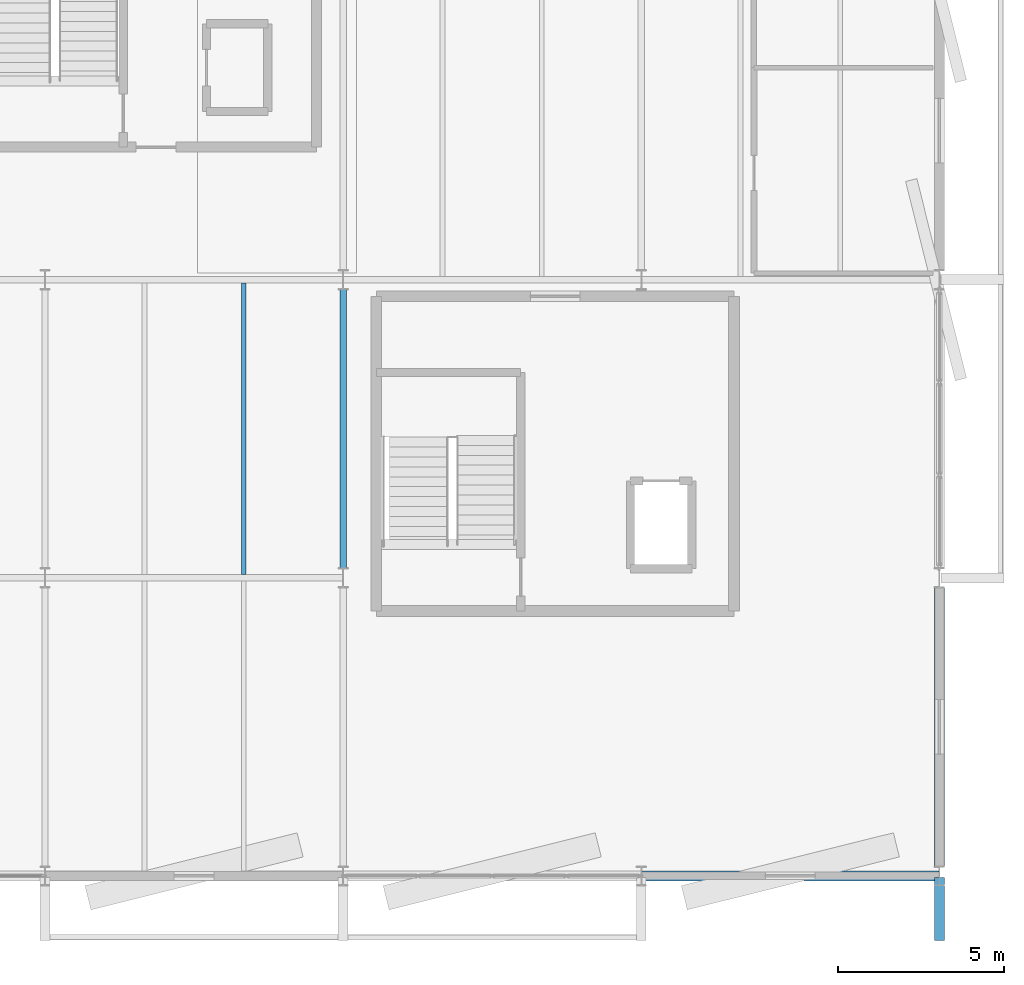
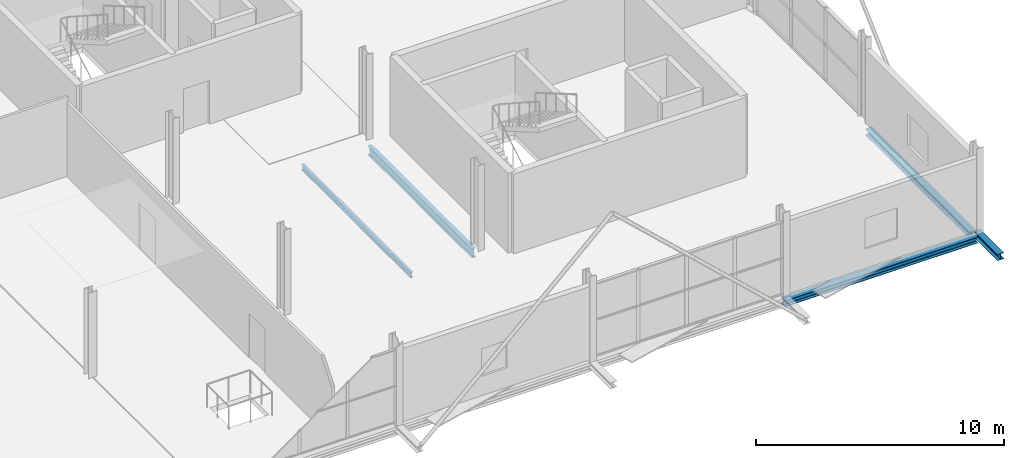
# One storey, part 49 of 103: 5 beams.
"""IFC4 building model written with IfcOpenShell, lengths in metres."""

from ifc_helpers import new_model, si_unit, direction, frame, origin, origin_2d, place, context, subcontext, project, spatial, i_section, extrude, material, material_profile, profile_set, type_object, element, save


model = new_model("IFC4")

# Units and contexts
model_context = context("Model", 3, precision=1e-05, world=origin(), true_north=direction((0.0, 1.0)))
body_context = subcontext(model_context, "Body", "Model", "MODEL_VIEW")
ifc_project = project(units=[si_unit("LENGTHUNIT", "METRE"), si_unit("AREAUNIT", "SQUARE_METRE"), si_unit("VOLUMEUNIT", "CUBIC_METRE"), si_unit("PLANEANGLEUNIT", "RADIAN"), si_unit("MASSUNIT", "GRAM", prefix="KILO")], contexts=[model_context])

# Site, building, storey
site_placement = place(None, origin())
site = spatial("IfcSite", under=ifc_project, at=site_placement, CompositionType="ELEMENT")
building_placement = place(site_placement, origin())
building = spatial("IfcBuilding", under=site, at=building_placement, Name="Deido Ridge Mobility Hub", CompositionType="ELEMENT")
storey_placement = place(building_placement, frame((0.0, 0.0, 12.60009765625)))
storey = spatial("IfcBuildingStorey", under=building, at=storey_placement, Name="L03", CompositionType="ELEMENT", Elevation=12.60009765625)

# Beams
ifc_material = material(Name="Steel S355J2 EN 10025-2", Category="steel")
ifc_material_profile_1 = material_profile(ifc_material, i_section(OverallWidth=0.18994140625, OverallDepth=0.449951171875, WebThickness=0.009521484375, FlangeThickness=0.0146484375, FilletRadius=0.02099609375, at=origin_2d()), Name="IPE 450")
ifc_profile_set_1 = profile_set([ifc_material_profile_1], Name="Steel S355J2 EN 10025-2")
beam_type_1 = type_object("IfcBeamType", Name="BM-IPE450", PredefinedType="BEAM", material=ifc_profile_set_1)
beam_1_placement = place(storey_placement, frame((162.0, 9.300048828125, -0.489990234375), z_axis=(0.0, 1.0, 0.0), x_axis=(-1.0, 0.0, 0.0)))
element("IfcBeam", 1, at=beam_1_placement, inside=storey, type_object=beam_type_1, Name="Floor beam B4", PredefinedType="BEAM", context=body_context, shape_type="SweptSolid", body=[
    extrude(i_section(OverallWidth=0.18994140625, OverallDepth=0.449951171875, WebThickness=0.009521484375, FlangeThickness=0.0146484375, FilletRadius=0.02099609375, at=origin_2d()), origin(), (0.0, 0.0, 1.0), 8.39990234375),
])
ifc_material_profile_2 = material_profile(ifc_material, i_section(OverallWidth=0.135009765625, OverallDepth=0.27001953125, WebThickness=0.006591796875, FlangeThickness=0.01025390625, FilletRadius=0.014892578125, at=origin_2d()), Name="IPE 270")
ifc_profile_set_2 = profile_set([ifc_material_profile_2], Name="Steel S355J2 EN 10025-2")
beam_type_2 = type_object("IfcBeamType", Name="JST-IPE270", PredefinedType="JOIST", material=ifc_profile_set_2)
beam_2_placement = place(storey_placement, frame((159.0, 9.10009765625, -0.400146484375), z_axis=(0.0, 1.0, 0.0), x_axis=(-1.0, 0.0, 0.0)))
element("IfcBeam", 2, at=beam_2_placement, inside=storey, type_object=beam_type_2, Name="Composite joist J4", PredefinedType="JOIST", context=body_context, shape_type="SweptSolid", body=[
    extrude(i_section(OverallWidth=0.135009765625, OverallDepth=0.27001953125, WebThickness=0.006591796875, FlangeThickness=0.01025390625, FilletRadius=0.014892578125, at=origin_2d()), origin(), (0.0, 0.0, 1.0), 8.7998046875),
])
ifc_material_profile_3 = material_profile(ifc_material, i_section(OverallWidth=0.300048828125, OverallDepth=0.300048828125, WebThickness=0.010986328125, FlangeThickness=0.01904296875, FilletRadius=0.027099609375, at=origin_2d()), Name="HEB 300")
ifc_profile_set_3 = profile_set([ifc_material_profile_3], Name="Steel S355J2 EN 10025-2")
beam_type_3 = type_object("IfcBeamType", Name="SPD-HEB300", PredefinedType="SPANDREL", material=ifc_profile_set_3)
beam_3_placement = place(storey_placement, frame((171.0078125, 0.0, -0.4150390625), z_axis=(1.0, 0.0, 0.0), x_axis=(0.0, 1.0, 0.0)))
element("IfcBeam", 3, at=beam_3_placement, inside=storey, type_object=beam_type_3, Name="Floor beam SP1", PredefinedType="SPANDREL", context=body_context, shape_type="SweptSolid", body=[
    extrude(i_section(OverallWidth=0.300048828125, OverallDepth=0.300048828125, WebThickness=0.010986328125, FlangeThickness=0.01904296875, FilletRadius=0.027099609375, at=origin_2d()), origin(), (0.0, 0.0, 1.0), 8.984375),
])
beam_4_placement = place(storey_placement, frame((180.0, 0.300048828125, -0.4150390625), z_axis=(0.0, 1.0, 0.0), x_axis=(-1.0, 0.0, 0.0)))
element("IfcBeam", 4, at=beam_4_placement, inside=storey, type_object=beam_type_3, Name="Floor beam SP1", PredefinedType="SPANDREL", context=body_context, shape_type="SweptSolid", body=[
    extrude(i_section(OverallWidth=0.300048828125, OverallDepth=0.300048828125, WebThickness=0.010986328125, FlangeThickness=0.01904296875, FilletRadius=0.027099609375, at=origin_2d()), origin(), (0.0, 0.0, 1.0), 8.39990234375),
])
beam_5_placement = place(storey_placement, frame((180.0, -0.050048828125, -0.150146484375), z_axis=(0.0, -1.0, 0.0), x_axis=(1.0, 0.0, 0.0)))
element("IfcBeam", 5, at=beam_5_placement, inside=storey, type_object=beam_type_3, Name="Exoskeleton outrigger beam SP1", PredefinedType="SPANDREL", context=body_context, shape_type="SweptSolid", body=[
    extrude(i_section(OverallWidth=0.300048828125, OverallDepth=0.300048828125, WebThickness=0.010986328125, FlangeThickness=0.01904296875, FilletRadius=0.027099609375, at=origin_2d()), origin(), (0.0, 0.0, 1.0), 1.89990234375),
])

save(model, "model.ifc")
